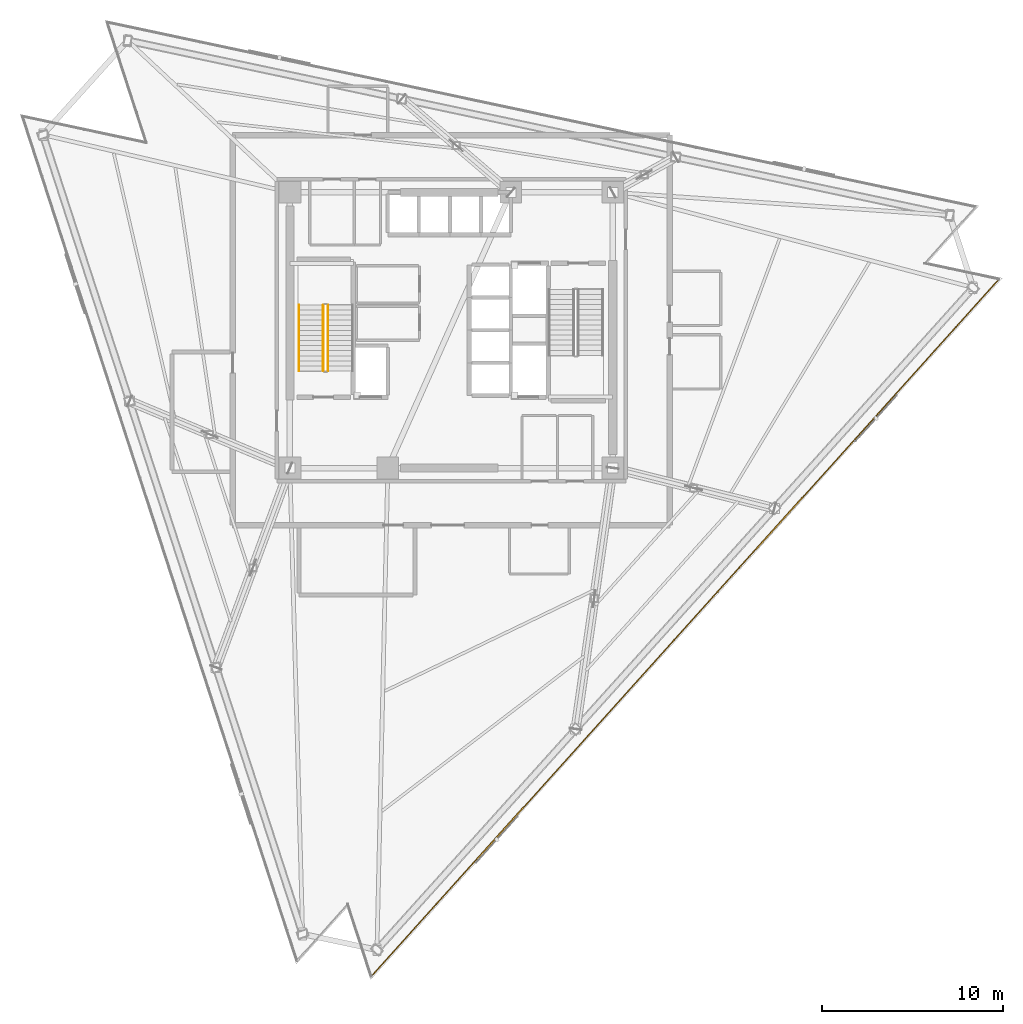
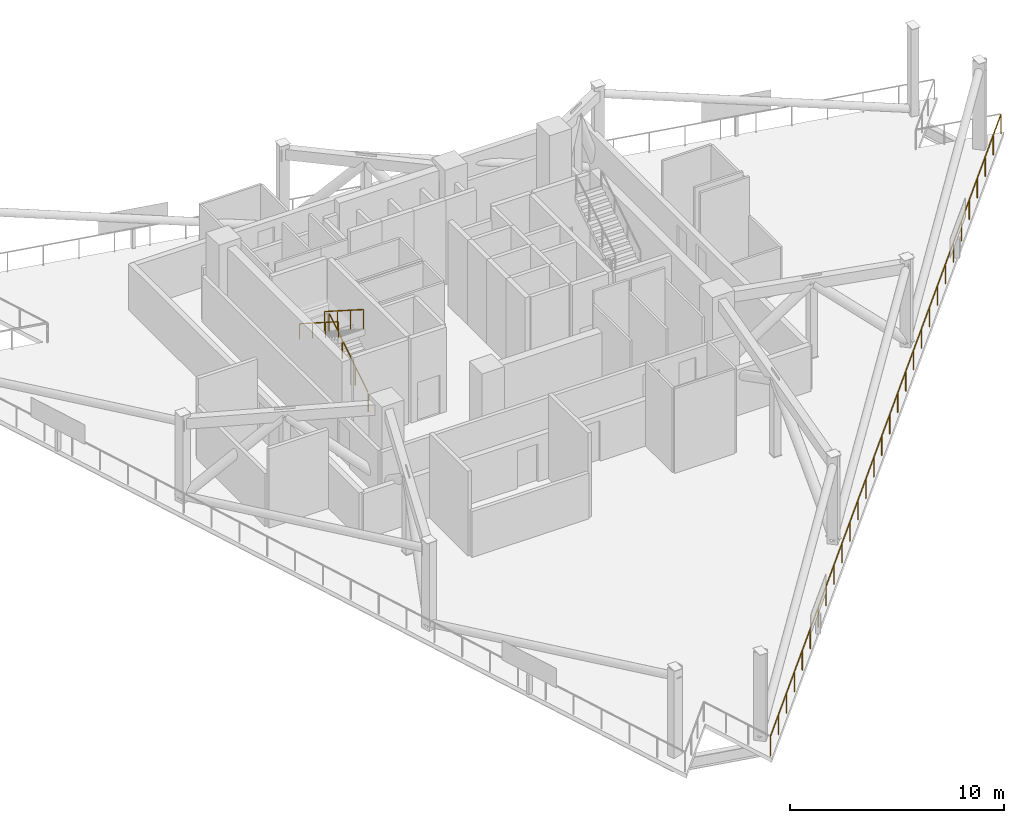
# One storey, part 12 of 15: 4 railings.
"""IFC4 building model written with IfcOpenShell, lengths in metres."""

from ifc_helpers import new_model, si_unit, direction, frame, origin, origin_2d, place, context, subcontext, project, spatial, rectangle, extrude, material, type_object, element, save


model = new_model("IFC4")

# Units and contexts
model_context = context("Model", 3, precision=1e-05, world=origin(), true_north=direction((0.0, 1.0)))
body_context = subcontext(model_context, "Body", "Model", "MODEL_VIEW")
ifc_project = project(units=[si_unit("LENGTHUNIT", "METRE"), si_unit("AREAUNIT", "SQUARE_METRE"), si_unit("VOLUMEUNIT", "CUBIC_METRE"), si_unit("PLANEANGLEUNIT", "RADIAN"), si_unit("MASSUNIT", "GRAM", prefix="KILO")], contexts=[model_context])

# Site, building, storey
site_placement = place(None, origin())
site = spatial("IfcSite", under=ifc_project, at=site_placement, CompositionType="ELEMENT")
building_placement = place(site_placement, origin())
building = spatial("IfcBuilding", under=site, at=building_placement, Name="Tharavind Bronze Gate", CompositionType="ELEMENT")
storey_placement = place(building_placement, frame((0.0, 0.0, 222.050048828125)))
storey = spatial("IfcBuildingStorey", under=building, at=storey_placement, Name="L57", CompositionType="ELEMENT", Elevation=222.050048828125)

# Railings
ifc_material_1 = material(Name="Brushed Bronze Alloy", Category="metal")
railing_type_1 = type_object("IfcRailingType", Name="STAIR BRONZE HANDRAIL 900", PredefinedType="HANDRAIL", material=ifc_material_1)
railing_1_placement = place(storey_placement, frame((-8.39990234375, 1.389892578125, 2.678466796875)))
element("IfcRailing", 1, at=railing_1_placement, inside=storey, type_object=railing_type_1, Name="L57 ST1 stair handrail 2", PredefinedType="HANDRAIL", context=body_context, shape_type="SweptSolid", body=[
    extrude(rectangle(XDim=0.048095703125, YDim=0.048095703125, at=origin_2d()), frame((0.0, -0.027099609375, 0.89306640625), z_axis=(0.0, -0.843111507901, 0.53773877045), x_axis=(1.0, 0.0, 0.0)), (0.0, 0.0, 1.0), 4.253173828125),
    extrude(rectangle(XDim=0.0400390625, YDim=0.0400390625, at=origin_2d()), origin(), (0.0, 0.0, 1.0), 0.847900390625),
    extrude(rectangle(XDim=0.0400390625, YDim=0.0400390625, at=origin_2d()), frame((0.0, -1.21337890625, 0.77392578125)), (0.0, 0.0, 1.0), 0.847900390625),
    extrude(rectangle(XDim=0.0400390625, YDim=0.0400390625, at=origin_2d()), frame((0.0, -2.426513671875, 1.547607421875)), (0.0, 0.0, 1.0), 0.847900390625),
    extrude(rectangle(XDim=0.0400390625, YDim=0.0400390625, at=origin_2d()), frame((0.0, -3.639892578125, 2.321533203125)), (0.0, 0.0, 1.0), 0.847900390625),
])
railing_type_2 = type_object("IfcRailingType", Name="STAIR WELL GUARD RAILING 1120", PredefinedType="GUARDRAIL", material=ifc_material_1)
railing_2_placement = place(storey_placement, frame((-6.800048828125, -2.25, 0.178466796875)))
element("IfcRailing", 2, at=railing_2_placement, inside=storey, type_object=railing_type_2, Name="L57 ST1 stair guard 1", PredefinedType="GUARDRAIL", context=body_context, shape_type="SweptSolid", body=[
    extrude(rectangle(XDim=0.048095703125, YDim=0.048095703125, at=origin_2d()), frame((0.0, 0.027099609375, 1.11328125), z_axis=(0.0, 0.843111507901, 0.53773877045), x_axis=(-1.0, 0.0, 0.0)), (0.0, 0.0, 1.0), 4.253173828125),
    extrude(rectangle(XDim=0.0400390625, YDim=0.0400390625, at=origin_2d()), origin(), (0.0, 0.0, 1.0), 1.068115234375),
    extrude(rectangle(XDim=0.0400390625, YDim=0.0400390625, at=origin_2d()), frame((0.0, 1.21337890625, 0.77392578125)), (0.0, 0.0, 1.0), 1.068115234375),
    extrude(rectangle(XDim=0.0400390625, YDim=0.0400390625, at=origin_2d()), frame((0.0, 2.426513671875, 1.547607421875)), (0.0, 0.0, 1.0), 1.068115234375),
    extrude(rectangle(XDim=0.0400390625, YDim=0.0400390625, at=origin_2d()), frame((0.0, 3.639892578125, 2.321533203125)), (0.0, 0.0, 1.0), 1.068115234375),
])
railing_3_placement = place(storey_placement, frame((-7.050048828125, 1.389892578125, 2.678466796875)))
element("IfcRailing", 3, at=railing_3_placement, inside=storey, type_object=railing_type_2, Name="L57 ST1 stair guard 3", PredefinedType="GUARDRAIL", context=body_context, shape_type="SweptSolid", body=[
    extrude(rectangle(XDim=0.048095703125, YDim=0.048095703125, at=origin_2d()), frame((0.0, -0.027099609375, 1.11328125), z_axis=(0.0, -0.843111507901, 0.53773877045), x_axis=(1.0, 0.0, 0.0)), (0.0, 0.0, 1.0), 4.253173828125),
    extrude(rectangle(XDim=0.0400390625, YDim=0.0400390625, at=origin_2d()), origin(), (0.0, 0.0, 1.0), 1.068115234375),
    extrude(rectangle(XDim=0.0400390625, YDim=0.0400390625, at=origin_2d()), frame((0.0, -1.21337890625, 0.77392578125)), (0.0, 0.0, 1.0), 1.068115234375),
    extrude(rectangle(XDim=0.0400390625, YDim=0.0400390625, at=origin_2d()), frame((0.0, -2.426513671875, 1.547607421875)), (0.0, 0.0, 1.0), 1.068115234375),
    extrude(rectangle(XDim=0.0400390625, YDim=0.0400390625, at=origin_2d()), frame((0.0, -3.639892578125, 2.321533203125)), (0.0, 0.0, 1.0), 1.068115234375),
])
ifc_material_2 = material(Name="Bronze Cap & Laminated Glass", Category="glass")
railing_type_3 = type_object("IfcRailingType", Name="TERRACE GLASS GUARD RAILING 1150", PredefinedType="GUARDRAIL", material=ifc_material_2)
railing_4_placement = place(storey_placement, frame((-4.412109375, -35.62939453125, 0.0)))
element("IfcRailing", 4, at=railing_4_placement, inside=storey, type_object=railing_type_3, Name="L57 open wind floor perimeter guard railing 6", PredefinedType="GUARDRAIL", context=body_context, shape_type="SweptSolid", body=[
    extrude(rectangle(XDim=0.048095703125, YDim=0.048095703125, at=origin_2d()), frame((0.021484375, 0.023681640625, 1.1259765625), z_axis=(0.66913160528, 0.743143926044, 0.0), x_axis=(-0.743143926044, 0.66913160528, 0.0)), (0.0, 0.0, 1.0), 51.662109375),
    extrude(rectangle(XDim=0.0400390625, YDim=0.0400390625, at=origin_2d()), origin(), (0.0, 0.0, 1.0), 1.097900390625),
    extrude(rectangle(XDim=0.0400390625, YDim=0.0400390625, at=origin_2d()), frame((1.193603515625, 1.325439453125, 0.0)), (0.0, 0.0, 1.0), 1.097900390625),
    extrude(rectangle(XDim=0.0400390625, YDim=0.0400390625, at=origin_2d()), frame((2.386962890625, 2.651123046875, 0.0)), (0.0, 0.0, 1.0), 1.097900390625),
    extrude(rectangle(XDim=0.0400390625, YDim=0.0400390625, at=origin_2d()), frame((3.58056640625, 3.9765625, 0.0)), (0.0, 0.0, 1.0), 1.097900390625),
    extrude(rectangle(XDim=0.0400390625, YDim=0.0400390625, at=origin_2d()), frame((4.77392578125, 5.302001953125, 0.0)), (0.0, 0.0, 1.0), 1.097900390625),
    extrude(rectangle(XDim=0.0400390625, YDim=0.0400390625, at=origin_2d()), frame((5.967529296875, 6.627685546875, 0.0)), (0.0, 0.0, 1.0), 1.097900390625),
    extrude(rectangle(XDim=0.0400390625, YDim=0.0400390625, at=origin_2d()), frame((7.1611328125, 7.953125, 0.0)), (0.0, 0.0, 1.0), 1.097900390625),
    extrude(rectangle(XDim=0.0400390625, YDim=0.0400390625, at=origin_2d()), frame((8.3544921875, 9.278564453125, 0.0)), (0.0, 0.0, 1.0), 1.097900390625),
    extrude(rectangle(XDim=0.0400390625, YDim=0.0400390625, at=origin_2d()), frame((9.548095703125, 10.60400390625, 0.0)), (0.0, 0.0, 1.0), 1.097900390625),
    extrude(rectangle(XDim=0.0400390625, YDim=0.0400390625, at=origin_2d()), frame((10.741455078125, 11.9296875, 0.0)), (0.0, 0.0, 1.0), 1.097900390625),
    extrude(rectangle(XDim=0.0400390625, YDim=0.0400390625, at=origin_2d()), frame((11.93505859375, 13.255126953125, 0.0)), (0.0, 0.0, 1.0), 1.097900390625),
    extrude(rectangle(XDim=0.0400390625, YDim=0.0400390625, at=origin_2d()), frame((13.12841796875, 14.58056640625, 0.0)), (0.0, 0.0, 1.0), 1.097900390625),
    extrude(rectangle(XDim=0.0400390625, YDim=0.0400390625, at=origin_2d()), frame((14.322021484375, 15.90625, 0.0)), (0.0, 0.0, 1.0), 1.097900390625),
    extrude(rectangle(XDim=0.0400390625, YDim=0.0400390625, at=origin_2d()), frame((15.515625, 17.231689453125, 0.0)), (0.0, 0.0, 1.0), 1.097900390625),
    extrude(rectangle(XDim=0.0400390625, YDim=0.0400390625, at=origin_2d()), frame((16.708984375, 18.55712890625, 0.0)), (0.0, 0.0, 1.0), 1.097900390625),
    extrude(rectangle(XDim=0.0400390625, YDim=0.0400390625, at=origin_2d()), frame((17.902587890625, 19.8828125, 0.0)), (0.0, 0.0, 1.0), 1.097900390625),
    extrude(rectangle(XDim=0.0400390625, YDim=0.0400390625, at=origin_2d()), frame((19.095947265625, 21.208251953125, 0.0)), (0.0, 0.0, 1.0), 1.097900390625),
    extrude(rectangle(XDim=0.0400390625, YDim=0.0400390625, at=origin_2d()), frame((20.28955078125, 22.53369140625, 0.0)), (0.0, 0.0, 1.0), 1.097900390625),
    extrude(rectangle(XDim=0.0400390625, YDim=0.0400390625, at=origin_2d()), frame((21.483154296875, 23.859375, 0.0)), (0.0, 0.0, 1.0), 1.097900390625),
    extrude(rectangle(XDim=0.0400390625, YDim=0.0400390625, at=origin_2d()), frame((22.676513671875, 25.184814453125, 0.0)), (0.0, 0.0, 1.0), 1.097900390625),
    extrude(rectangle(XDim=0.0400390625, YDim=0.0400390625, at=origin_2d()), frame((23.8701171875, 26.51025390625, 0.0)), (0.0, 0.0, 1.0), 1.097900390625),
    extrude(rectangle(XDim=0.0400390625, YDim=0.0400390625, at=origin_2d()), frame((25.0634765625, 27.8359375, 0.0)), (0.0, 0.0, 1.0), 1.097900390625),
    extrude(rectangle(XDim=0.0400390625, YDim=0.0400390625, at=origin_2d()), frame((26.257080078125, 29.161376953125, 0.0)), (0.0, 0.0, 1.0), 1.097900390625),
    extrude(rectangle(XDim=0.0400390625, YDim=0.0400390625, at=origin_2d()), frame((27.450439453125, 30.48681640625, 0.0)), (0.0, 0.0, 1.0), 1.097900390625),
    extrude(rectangle(XDim=0.0400390625, YDim=0.0400390625, at=origin_2d()), frame((28.64404296875, 31.812255859375, 0.0)), (0.0, 0.0, 1.0), 1.097900390625),
    extrude(rectangle(XDim=0.0400390625, YDim=0.0400390625, at=origin_2d()), frame((29.837646484375, 33.137939453125, 0.0)), (0.0, 0.0, 1.0), 1.097900390625),
    extrude(rectangle(XDim=0.0400390625, YDim=0.0400390625, at=origin_2d()), frame((31.031005859375, 34.46337890625, 0.0)), (0.0, 0.0, 1.0), 1.097900390625),
    extrude(rectangle(XDim=0.0400390625, YDim=0.0400390625, at=origin_2d()), frame((32.224609375, 35.788818359375, 0.0)), (0.0, 0.0, 1.0), 1.097900390625),
    extrude(rectangle(XDim=0.0400390625, YDim=0.0400390625, at=origin_2d()), frame((33.41796875, 37.114501953125, 0.0)), (0.0, 0.0, 1.0), 1.097900390625),
    extrude(rectangle(XDim=0.0400390625, YDim=0.0400390625, at=origin_2d()), frame((34.611572265625, 38.43994140625, 0.0)), (0.0, 0.0, 1.0), 1.097900390625),
])

save(model, "model.ifc")
